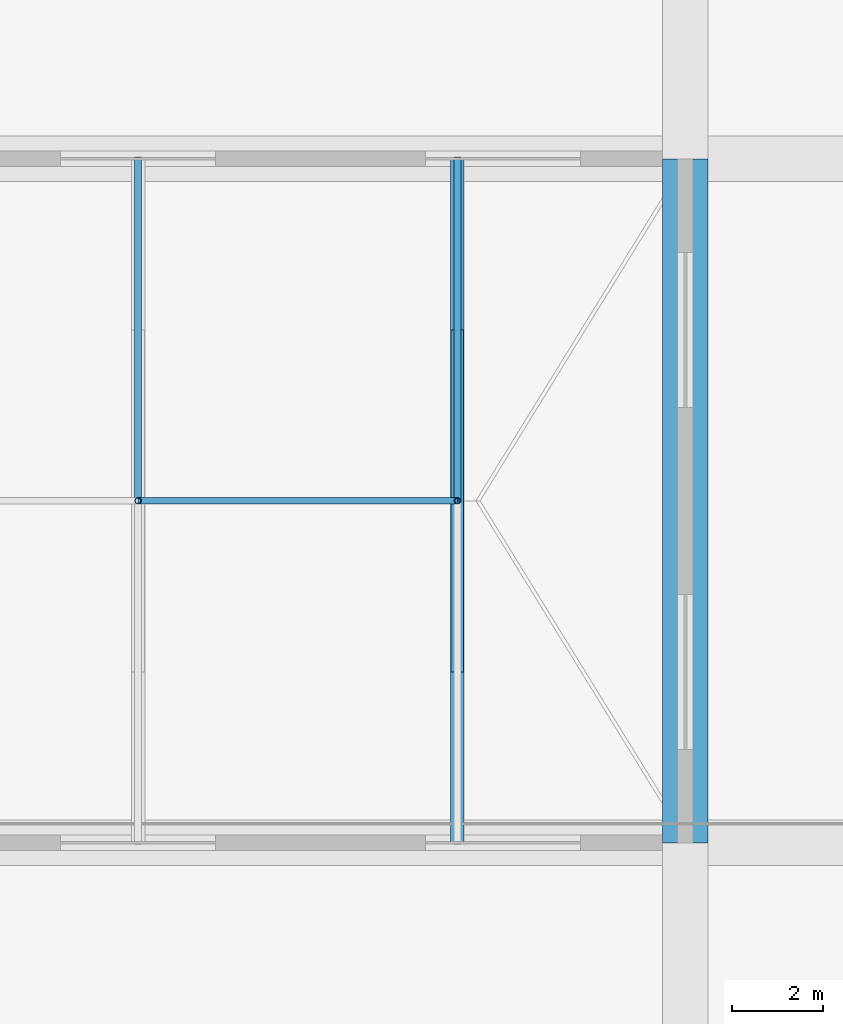
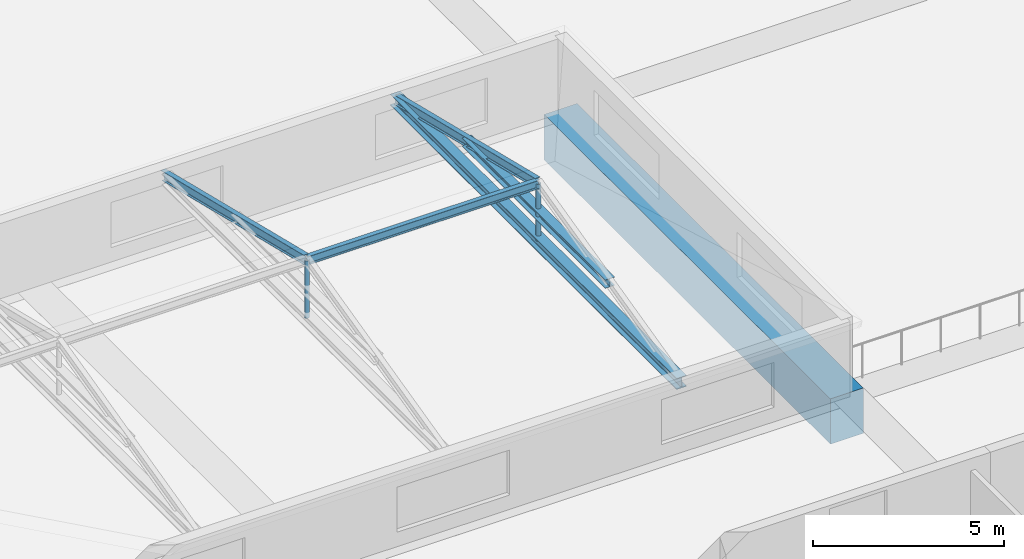
# One storey, part 22 of 49: 7 members, 1 beam.
"""IFC4 building model written with IfcOpenShell, lengths in metres."""

from ifc_helpers import new_model, si_unit, direction, frame, origin, origin_2d, place, context, subcontext, project, spatial, rectangle, hollow_circle, i_section, extrude, material, material_profile, profile_set, type_object, element, save


model = new_model("IFC4")

# Units and contexts
model_context = context("Model", 3, precision=1e-05, world=origin(), true_north=direction((0.0, 1.0)))
body_context = subcontext(model_context, "Body", "Model", "MODEL_VIEW")
ifc_project = project(units=[si_unit("LENGTHUNIT", "METRE"), si_unit("AREAUNIT", "SQUARE_METRE"), si_unit("VOLUMEUNIT", "CUBIC_METRE"), si_unit("PLANEANGLEUNIT", "RADIAN"), si_unit("MASSUNIT", "GRAM", prefix="KILO")], contexts=[model_context])

# Site, building, storey
site_placement = place(None, origin())
site = spatial("IfcSite", under=ifc_project, at=site_placement, CompositionType="ELEMENT")
building_placement = place(site_placement, origin())
building = spatial("IfcBuilding", under=site, at=building_placement, Name="Akrevak Sports Hall", CompositionType="ELEMENT")
storey_placement = place(building_placement, frame((0.0, 0.0, 24.14990234375)))
storey = spatial("IfcBuildingStorey", under=building, at=storey_placement, Name="L04", CompositionType="ELEMENT", Elevation=24.14990234375)

# Beam
ifc_material_1 = material(Name="Concrete C50/60", Category="concrete")
ifc_material_profile_1 = material_profile(ifc_material_1, rectangle(XDim=1.0, YDim=1.449951171875, at=origin_2d()), Name="BM 1000x1450", Category="concrete")
ifc_profile_set_1 = profile_set([ifc_material_profile_1], Name="Concrete C50/60")
beam_type = type_object("IfcBeamType", Name="STR-BM-LG1000x1450", PredefinedType="BEAM", material=ifc_profile_set_1)
beam_placement = place(storey_placement, frame((92.0, 84.0, -0.724853515625), z_axis=(0.0, 1.0, 0.0), x_axis=(-1.0, 0.0, 0.0)))
element("IfcBeam", 1, at=beam_placement, inside=storey, type_object=beam_type, Name="Girder 13/M-O (L04)", PredefinedType="BEAM", context=body_context, shape_type="SweptSolid", body=[
    extrude(rectangle(XDim=1.0, YDim=1.449951171875, at=origin_2d()), origin(), (0.0, 0.0, 1.0), 15.0),
])

# Members
ifc_material_2 = material(Name="Steel S355", Category="steel")
ifc_material_profile_2 = material_profile(ifc_material_2, hollow_circle(Radius=0.06982421875, WallThickness=0.008056640625, at=origin_2d()), Name="CHS 139.7x8", Category="steel")
ifc_profile_set_2 = profile_set([ifc_material_profile_2], Name="Steel S355")
member_type_1 = type_object("IfcMemberType", Name="STR-MEM-BRACE-CHS139", PredefinedType="BRACE", material=ifc_profile_set_2)
for number, where, z_axis, x_axis, name in (
    (2, (80.0, 91.5, 2.10009765625), (0.0, 0.0, 1.0), (1.0, 0.0, 0.0), "North Athletes Hall Clerestory Monitor Roof Central King Post 3"),
    (3, (87.0, 91.5, 2.10009765625), (0.0, 0.0, 1.0), (1.0, 0.0, 0.0), "North Athletes Hall Clerestory Monitor Roof Central King Post 4"),
):
    element("IfcMember", number, at=place(storey_placement, frame(where, z_axis=z_axis, x_axis=x_axis)), inside=storey, type_object=member_type_1, Name=name, PredefinedType="BRACE", context=body_context, shape_type="SweptSolid", body=[
        extrude(hollow_circle(Radius=0.06982421875, WallThickness=0.008056640625, at=origin_2d()), origin(), (0.0, 0.0, 1.0), 1.830078125),
    ])
ifc_material_profile_3 = material_profile(ifc_material_2, i_section(OverallWidth=0.280029296875, OverallDepth=0.27001953125, WebThickness=0.008056640625, FlangeThickness=0.012939453125, FilletRadius=0.02392578125, at=origin_2d()), Name="HEA 280", Category="steel")
ifc_profile_set_3 = profile_set([ifc_material_profile_3], Name="Steel S355")
member_type_2 = type_object("IfcMemberType", Name="STR-MEM-CHORD-HEA280", PredefinedType="CHORD", material=ifc_profile_set_3)
member_1_placement = place(storey_placement, frame((87.0, 87.75, 3.01513671875), z_axis=(0.0, 1.0, 0.0), x_axis=(-1.0, 0.0, 0.0)))
element("IfcMember", 4, at=member_1_placement, inside=storey, type_object=member_type_2, Name="North Athletes Hall Clerestory Monitor Roof Collar Tie Chord 4", PredefinedType="CHORD", context=body_context, shape_type="SweptSolid", body=[
    extrude(i_section(OverallWidth=0.280029296875, OverallDepth=0.27001953125, WebThickness=0.008056640625, FlangeThickness=0.012939453125, FilletRadius=0.02392578125, at=origin_2d()), origin(), (0.0, 0.0, 1.0), 7.5),
])
ifc_material_profile_4 = material_profile(ifc_material_2, i_section(OverallWidth=0.300048828125, OverallDepth=0.360107421875, WebThickness=0.012451171875, FlangeThickness=0.0224609375, FilletRadius=0.027099609375, at=origin_2d()), Name="HEB 360", Category="steel")
ifc_profile_set_4 = profile_set([ifc_material_profile_4], Name="Steel S355")
member_type_3 = type_object("IfcMemberType", Name="STR-MEM-CHORD-HEB360", PredefinedType="CHORD", material=ifc_profile_set_4)
member_2_placement = place(storey_placement, frame((87.0, 84.0, 2.10009765625), z_axis=(0.0, 1.0, 0.0), x_axis=(-1.0, 0.0, 0.0)))
element("IfcMember", 5, at=member_2_placement, inside=storey, type_object=member_type_3, Name="North Athletes Hall Clerestory Monitor Roof Bottom Tie Chord 4", PredefinedType="CHORD", context=body_context, shape_type="SweptSolid", body=[
    extrude(i_section(OverallWidth=0.300048828125, OverallDepth=0.360107421875, WebThickness=0.012451171875, FlangeThickness=0.0224609375, FilletRadius=0.027099609375, at=origin_2d()), origin(), (0.0, 0.0, 1.0), 15.0),
])
ifc_material_profile_5 = material_profile(ifc_material_2, i_section(OverallWidth=0.135009765625, OverallDepth=0.27001953125, WebThickness=0.006591796875, FlangeThickness=0.01025390625, FilletRadius=0.014892578125, at=origin_2d()), Name="IPE 270", Category="steel")
ifc_profile_set_5 = profile_set([ifc_material_profile_5], Name="Steel S355")
member_type_4 = type_object("IfcMemberType", Name="STR-MEM-PUR-IPE270", PredefinedType="PURLIN", material=ifc_profile_set_5)
member_3_placement = place(storey_placement, frame((80.0, 91.5, 3.93017578125), z_axis=(1.0, 0.0, 0.0), x_axis=(0.0, 1.0, 0.0)))
element("IfcMember", 6, at=member_3_placement, inside=storey, type_object=member_type_4, Name="North Athletes Hall Clerestory Monitor Roof Ridge Steel Purlin 3", PredefinedType="PURLIN", context=body_context, shape_type="SweptSolid", body=[
    extrude(i_section(OverallWidth=0.135009765625, OverallDepth=0.27001953125, WebThickness=0.006591796875, FlangeThickness=0.01025390625, FilletRadius=0.014892578125, at=origin_2d()), origin(), (0.0, 0.0, 1.0), 7.0),
])
ifc_material_profile_6 = material_profile(ifc_material_2, i_section(OverallWidth=0.14990234375, OverallDepth=0.300048828125, WebThickness=0.007080078125, FlangeThickness=0.0107421875, FilletRadius=0.014892578125, at=origin_2d()), Name="IPE 300", Category="steel")
ifc_profile_set_6 = profile_set([ifc_material_profile_6], Name="Steel S355")
member_type_5 = type_object("IfcMemberType", Name="STR-MEM-RAF-IPE300", PredefinedType="RAFTER", material=ifc_profile_set_6)
for number, where, z_axis, x_axis, name in (
    (7, (80.0, 99.0, 2.10009765625), (0.0, -0.971496184976, 0.237055188886), (1.0, 0.0, 0.0), "North Athletes Hall Clerestory Monitor Roof North Steel Rafter 3"),
    (8, (87.0, 99.0, 2.10009765625), (0.0, -0.971496184976, 0.237055188886), (1.0, 0.0, 0.0), "North Athletes Hall Clerestory Monitor Roof North Steel Rafter 4"),
):
    element("IfcMember", number, at=place(storey_placement, frame(where, z_axis=z_axis, x_axis=x_axis)), inside=storey, type_object=member_type_5, Name=name, PredefinedType="RAFTER", context=body_context, shape_type="SweptSolid", body=[
        extrude(i_section(OverallWidth=0.14990234375, OverallDepth=0.300048828125, WebThickness=0.007080078125, FlangeThickness=0.0107421875, FilletRadius=0.014892578125, at=origin_2d()), origin(), (0.0, 0.0, 1.0), 7.719970703125),
    ])

save(model, "model.ifc")
